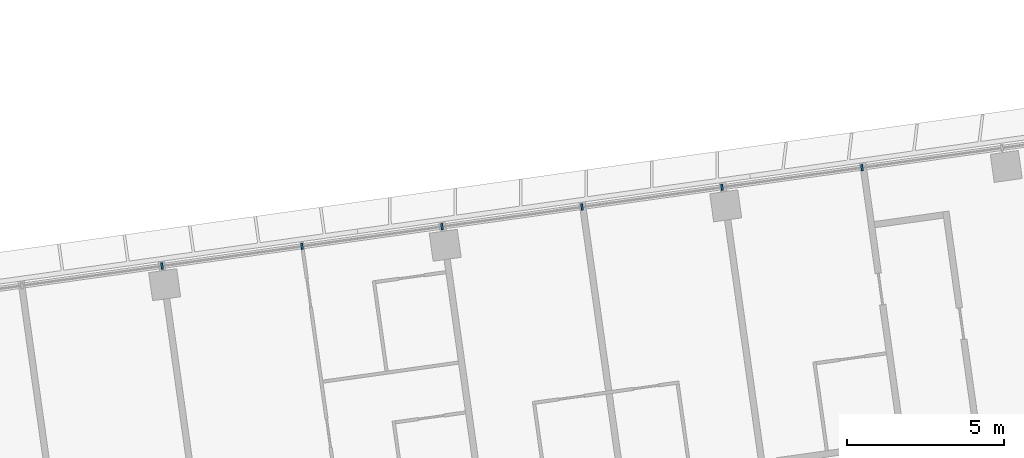
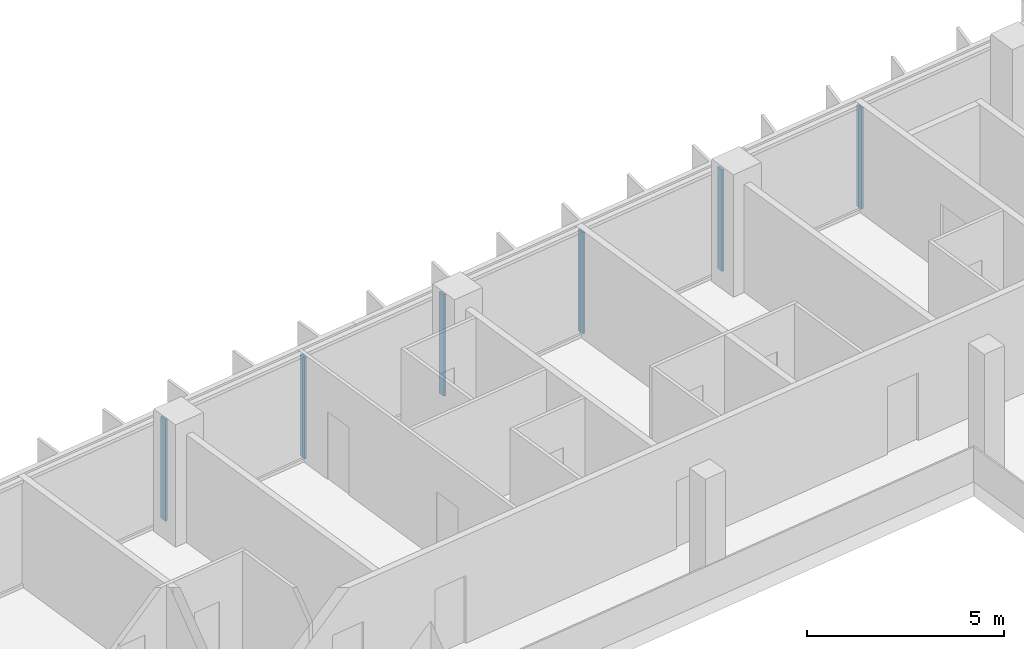
# One storey, part 10 of 25: 6 members, 1 element without a shape of its own.
"""IFC4 building model written with IfcOpenShell, lengths in metres."""

from ifc_helpers import new_model, si_unit, direction, frame, origin, origin_2d, place, context, subcontext, project, spatial, rectangle, extrude, material, material_profile, profile_set, type_object, element, aggregate, save


model = new_model("IFC4")

# Units and contexts
model_context = context("Model", 3, precision=1e-05, world=origin(), true_north=direction((0.0, 1.0)))
body_context = subcontext(model_context, "Body", "Model", "MODEL_VIEW")
ifc_project = project(units=[si_unit("LENGTHUNIT", "METRE"), si_unit("AREAUNIT", "SQUARE_METRE"), si_unit("VOLUMEUNIT", "CUBIC_METRE"), si_unit("PLANEANGLEUNIT", "RADIAN"), si_unit("MASSUNIT", "GRAM", prefix="KILO")], contexts=[model_context])

# Site, building, storey
site_placement = place(None, origin())
site = spatial("IfcSite", under=ifc_project, at=site_placement, CompositionType="ELEMENT")
building_placement = place(site_placement, origin())
building = spatial("IfcBuilding", under=site, at=building_placement, Name="Mirante Cascada Hotel Towers", CompositionType="ELEMENT")
storey_placement = place(building_placement, frame((0.0, 0.0, 102.5)))
storey = spatial("IfcBuildingStorey", under=building, at=storey_placement, Name="L22", CompositionType="ELEMENT", Elevation=102.5)

# Curtain wall, members
ifc_material_1 = material(Name="Aluminium mullion and transom frame with clear laminated glass", Category="aluminium")
curtain_wall_type = type_object("IfcCurtainWallType", Name="Ribbon curtain wall ECW1", PredefinedType="NOTDEFINED", material=ifc_material_1)
curtain_wall_placement = place(storey_placement, origin())
curtain_wall = element("IfcCurtainWall", 1, at=curtain_wall_placement, inside=storey, type_object=curtain_wall_type, Name="Front ribbon wall T2 L22", PredefinedType="NOTDEFINED")
ifc_material_2 = material(Name="Anodised aluminium extrusion", Category="aluminium")
ifc_material_profile = material_profile(ifc_material_2, rectangle(XDim=0.2, YDim=0.065, at=origin_2d()), Name="ECW1 MULLION 65x200")
ifc_profile_set = profile_set([ifc_material_profile], Name="Anodised aluminium extrusion")
member_type = type_object("IfcMemberType", Name="ECW1 mullion 65x200", PredefinedType="MULLION", material=ifc_profile_set)
member_1_placement = place(storey_placement, frame((85.2633, 24.802, 0.1), z_axis=(0.0, 0.0, 1.0), x_axis=(0.1391731, -0.9902681, 0.0)))
member_1 = element("IfcMember", 2, at=member_1_placement, type_object=member_type, Name="ECW1 mullion 3", PredefinedType="MULLION", context=body_context, shape_type="SweptSolid", body=[
    extrude(rectangle(XDim=0.2, YDim=0.065, at=origin_2d()), origin(), (0.0, 0.0, 1.0), 3.15),
])
member_2_placement = place(storey_placement, frame((80.8159, 24.177, 0.1), z_axis=(0.0, 0.0, 1.0), x_axis=(0.1391731, -0.9902681, 0.0)))
member_2 = element("IfcMember", 3, at=member_2_placement, type_object=member_type, Name="ECW1 mullion 4", PredefinedType="MULLION", context=body_context, shape_type="SweptSolid", body=[
    extrude(rectangle(XDim=0.2, YDim=0.065, at=origin_2d()), origin(), (0.0, 0.0, 1.0), 3.15),
])
member_3_placement = place(storey_placement, frame((76.3685, 23.5519, 0.1), z_axis=(0.0, 0.0, 1.0), x_axis=(0.1391731, -0.9902681, 0.0)))
member_3 = element("IfcMember", 4, at=member_3_placement, type_object=member_type, Name="ECW1 mullion 5", PredefinedType="MULLION", context=body_context, shape_type="SweptSolid", body=[
    extrude(rectangle(XDim=0.2, YDim=0.065, at=origin_2d()), origin(), (0.0, 0.0, 1.0), 3.15),
])
member_4_placement = place(storey_placement, frame((71.9211, 22.9269, 0.1), z_axis=(0.0, 0.0, 1.0), x_axis=(0.1391731, -0.9902681, 0.0)))
member_4 = element("IfcMember", 5, at=member_4_placement, type_object=member_type, Name="ECW1 mullion 6", PredefinedType="MULLION", context=body_context, shape_type="SweptSolid", body=[
    extrude(rectangle(XDim=0.2, YDim=0.065, at=origin_2d()), origin(), (0.0, 0.0, 1.0), 3.15),
])
member_5_placement = place(storey_placement, frame((67.4737, 22.3018, 0.1), z_axis=(0.0, 0.0, 1.0), x_axis=(0.1391731, -0.9902681, 0.0)))
member_5 = element("IfcMember", 6, at=member_5_placement, type_object=member_type, Name="ECW1 mullion 7", PredefinedType="MULLION", context=body_context, shape_type="SweptSolid", body=[
    extrude(rectangle(XDim=0.2, YDim=0.065, at=origin_2d()), origin(), (0.0, 0.0, 1.0), 3.15),
])
member_6_placement = place(storey_placement, frame((63.0262, 21.6768, 0.1), z_axis=(0.0, 0.0, 1.0), x_axis=(0.1391731, -0.9902681, 0.0)))
member_6 = element("IfcMember", 7, at=member_6_placement, type_object=member_type, Name="ECW1 mullion 8", PredefinedType="MULLION", context=body_context, shape_type="SweptSolid", body=[
    extrude(rectangle(XDim=0.2, YDim=0.065, at=origin_2d()), origin(), (0.0, 0.0, 1.0), 3.15),
])
aggregate(curtain_wall, [member_1, member_2, member_3, member_4, member_5, member_6])

save(model, "model.ifc")
